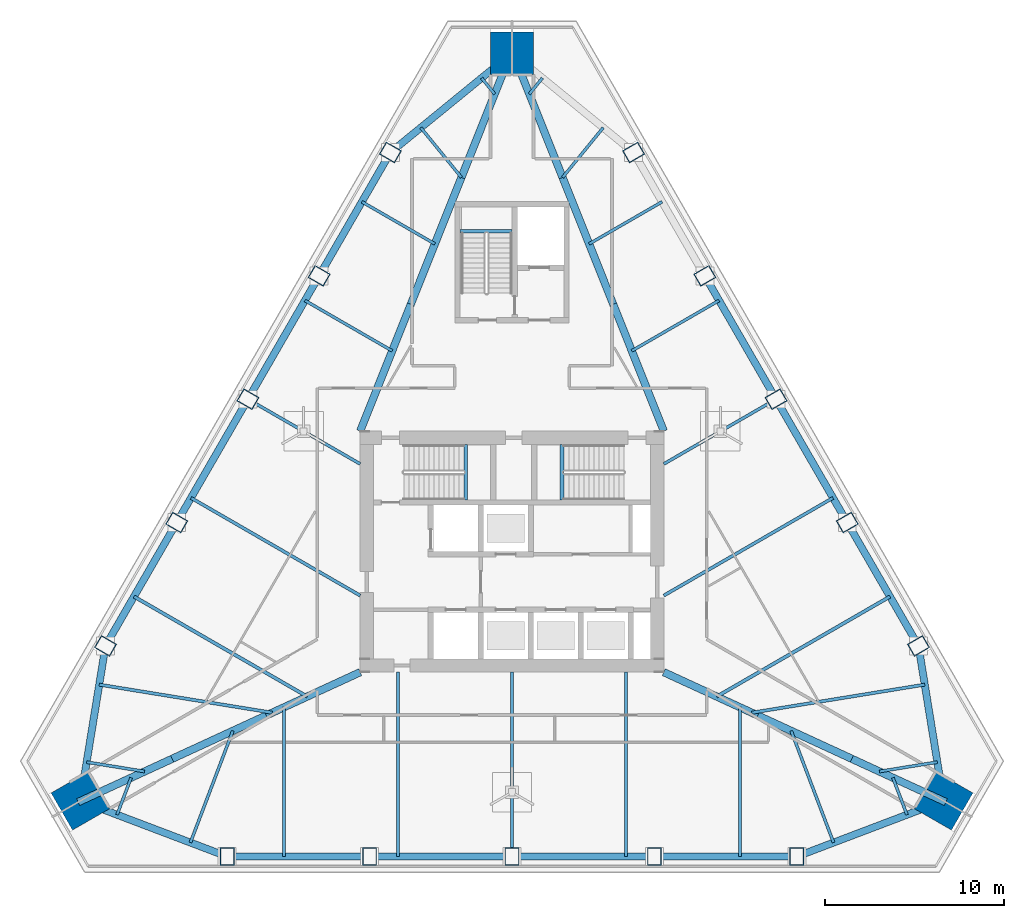
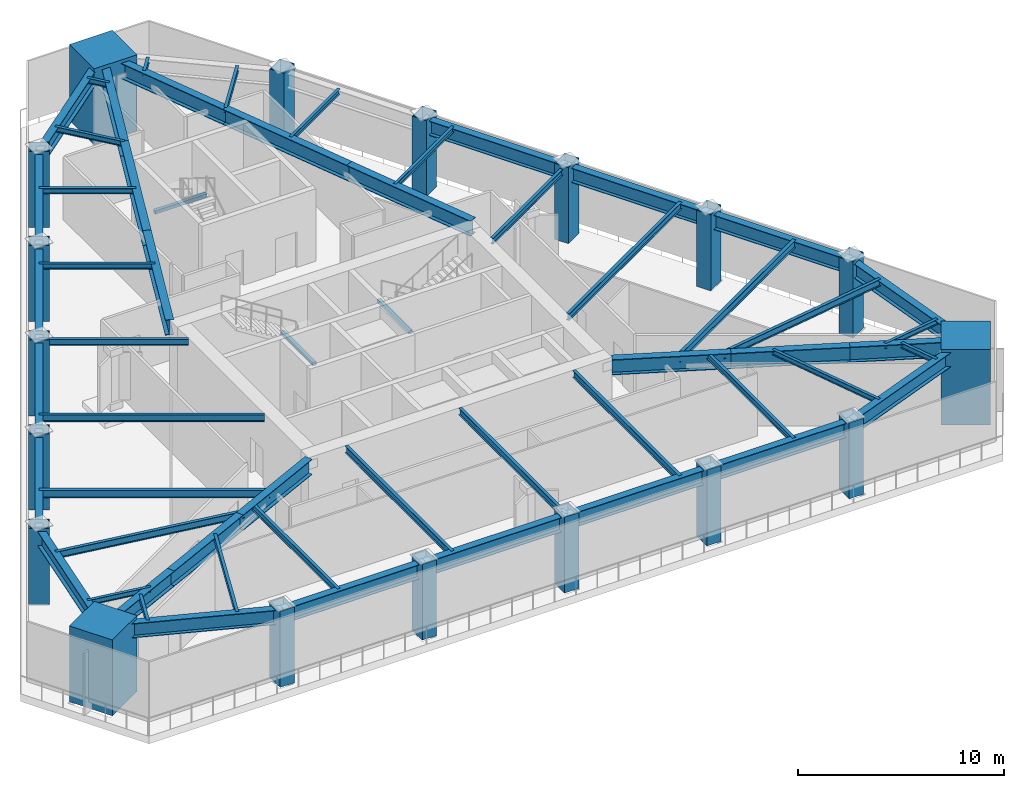
# One storey, part 1 of 9: 30 beams, 28 members, 18 columns.
"""IFC4 building model written with IfcOpenShell, lengths in metres."""

from ifc_helpers import new_model, si_unit, direction, frame, origin, origin_2d, place, context, subcontext, project, spatial, rectangle, hollow_rectangle, i_section, extrude, material, material_profile, profile_set, type_object, element, save


model = new_model("IFC4")

# Units and contexts
model_context = context("Model", 3, precision=1e-05, world=origin(), true_north=direction((0.0, 1.0)))
body_context = subcontext(model_context, "Body", "Model", "MODEL_VIEW")
ifc_project = project(units=[si_unit("LENGTHUNIT", "METRE"), si_unit("AREAUNIT", "SQUARE_METRE"), si_unit("VOLUMEUNIT", "CUBIC_METRE"), si_unit("PLANEANGLEUNIT", "RADIAN"), si_unit("MASSUNIT", "GRAM", prefix="KILO")], contexts=[model_context])

# Site, building, storey
site_placement = place(None, origin())
site = spatial("IfcSite", under=ifc_project, at=site_placement, CompositionType="ELEMENT")
building_placement = place(site_placement, origin())
building = spatial("IfcBuilding", under=site, at=building_placement, Name="Firuza Gate Tower and Library", CompositionType="ELEMENT")
storey_placement = place(building_placement, frame((0.0, 0.0, 252.10009765625)))
storey = spatial("IfcBuildingStorey", under=building, at=storey_placement, Name="L59", CompositionType="ELEMENT", Elevation=252.10009765625)

# Columns
ifc_material_1 = material(Name="Steel S355", Category="steel")
ifc_material_profile_1 = material_profile(ifc_material_1, hollow_rectangle(XDim=0.800048828125, YDim=1.0, WallThickness=0.050048828125, at=origin_2d()))
ifc_profile_set_1 = profile_set([ifc_material_profile_1], Name="Steel S355")
column_type_1 = type_object("IfcColumnType", Name="BU1000x800x50 Composite box column", PredefinedType="COLUMN", material=ifc_profile_set_1)
for number, where, z_axis, x_axis, name in (
    (1, (59.050048828125, 57.929931640625, -0.00048828125), (0.0, 0.0, 1.0), (1.0, 0.0, 0.0), "Column S1 L59"),
    (2, (67.02490234375, 57.929931640625, -0.00048828125), (0.0, 0.0, 1.0), (1.0, 0.0, 0.0), "Column S2 L59"),
    (3, (75.0, 57.929931640625, -0.00048828125), (0.0, 0.0, 1.0), (1.0, 0.0, 0.0), "Column S3 L59"),
    (4, (82.97509765625, 57.929931640625, -0.00048828125), (0.0, 0.0, 1.0), (1.0, 0.0, 0.0), "Column S4 L59"),
    (5, (90.949951171875, 57.929931640625, -0.00048828125), (0.0, 0.0, 1.0), (1.0, 0.0, 0.0), "Column S5 L59"),
    (6, (97.758056640625, 69.721923828125, -0.00048828125), (0.0, 0.0, 1.0), (-0.5, 0.866025403784, 0.0), "Column E1 L59"),
    (7, (93.7705078125, 76.62841796875, -0.00048828125), (0.0, 0.0, 1.0), (-0.5, 0.866025403784, 0.0), "Column E2 L59"),
    (8, (89.782958984375, 83.534912109375, -0.00048828125), (0.0, 0.0, 1.0), (-0.5, 0.866025403784, 0.0), "Column E3 L59"),
    (9, (85.795654296875, 90.441650390625, -0.00048828125), (0.0, 0.0, 1.0), (-0.5, 0.866025403784, 0.0), "Column E4 L59"),
    (10, (81.80810546875, 97.34814453125, -0.00048828125), (0.0, 0.0, 1.0), (-0.5, 0.866025403784, 0.0), "Column E5 L59"),
    (11, (68.19189453125, 97.34814453125, -0.00048828125), (0.0, 0.0, 1.0), (-0.5, -0.866025403784, 0.0), "Column W1 L59"),
    (12, (64.204345703125, 90.441650390625, -0.00048828125), (0.0, 0.0, 1.0), (-0.5, -0.866025403784, 0.0), "Column W2 L59"),
    (13, (60.217041015625, 83.534912109375, -0.00048828125), (0.0, 0.0, 1.0), (-0.5, -0.866025403784, 0.0), "Column W3 L59"),
    (14, (56.2294921875, 76.62841796875, -0.00048828125), (0.0, 0.0, 1.0), (-0.5, -0.866025403784, 0.0), "Column W4 L59"),
    (15, (52.241943359375, 69.721923828125, -0.00048828125), (0.0, 0.0, 1.0), (-0.5, -0.866025403784, 0.0), "Column W5 L59"),
):
    element("IfcColumn", number, at=place(storey_placement, frame(where, z_axis=z_axis, x_axis=x_axis)), inside=storey, type_object=column_type_1, Name=name, PredefinedType="COLUMN", context=body_context, shape_type="SweptSolid", body=[
        extrude(hollow_rectangle(XDim=0.800048828125, YDim=1.0, WallThickness=0.050048828125, at=origin_2d()), origin(), (0.0, 0.0, 1.0), 4.50048828125),
    ])
ifc_material_2 = material(Name="Concrete C80/95", Category="concrete")
ifc_material_profile_2 = material_profile(ifc_material_2, rectangle(XDim=2.39990234375, YDim=2.39990234375, at=origin_2d()))
ifc_profile_set_2 = profile_set([ifc_material_profile_2], Name="Concrete C80/95")
column_type_2 = type_object("IfcColumnType", Name="Mega column 2400x2400 C80/95", PredefinedType="COLUMN", material=ifc_profile_set_2)
for number, where, z_axis, x_axis, name in (
    (16, (99.166259765625, 61.047607421875, 0.0), (0.0, 0.0, 1.0), (0.5, 0.866025403784, 0.0), "Mega column SE L59"),
    (17, (75.0, 102.90478515625, 0.0), (0.0, 0.0, 1.0), (-1.0, 0.0, 0.0), "Mega column N L59"),
    (18, (50.833740234375, 61.047607421875, 0.0), (0.0, 0.0, 1.0), (0.5, -0.866025403784, 0.0), "Mega column SW L59"),
):
    element("IfcColumn", number, at=place(storey_placement, frame(where, z_axis=z_axis, x_axis=x_axis)), inside=storey, type_object=column_type_2, Name=name, PredefinedType="COLUMN", context=body_context, shape_type="SweptSolid", body=[
        extrude(rectangle(XDim=2.39990234375, YDim=2.39990234375, at=origin_2d()), origin(), (0.0, 0.0, 1.0), 4.5),
    ])

# Beams
ifc_material_3 = material(Name="Concrete C35/45", Category="concrete")
ifc_material_profile_3 = material_profile(ifc_material_3, rectangle(XDim=0.199951171875, YDim=0.199951171875, at=origin_2d()))
ifc_profile_set_3 = profile_set([ifc_material_profile_3], Name="Concrete C35/45")
beam_type_1 = type_object("IfcBeamType", Name="Stair landing bearer 200x200", PredefinedType="BEAM", material=ifc_profile_set_3)
for number, where, z_axis, x_axis, name in (
    (19, (72.39990234375, 77.89990234375, 1.949951171875), (0.0, 1.0, 0.0), (-1.0, 0.0, 0.0), "Landing bearer L59 stair 1"),
    (20, (77.800048828125, 81.0, 1.949951171875), (0.0, -1.0, 0.0), (1.0, 0.0, 0.0), "Landing bearer L59 stair 2"),
):
    element("IfcBeam", number, at=place(storey_placement, frame(where, z_axis=z_axis, x_axis=x_axis)), inside=storey, type_object=beam_type_1, Name=name, PredefinedType="BEAM", context=body_context, shape_type="SweptSolid", body=[
        extrude(rectangle(XDim=0.199951171875, YDim=0.199951171875, at=origin_2d()), origin(), (0.0, 0.0, 1.0), 3.10009765625),
    ])
beam_1_placement = place(storey_placement, frame((75.0, 92.929931640625, 1.949951171875), z_axis=(-1.0, 0.0, 0.0), x_axis=(0.0, -1.0, 0.0)))
element("IfcBeam", 21, at=beam_1_placement, inside=storey, type_object=beam_type_1, Name="Landing bearer L59 stair 3", PredefinedType="BEAM", context=body_context, shape_type="SweptSolid", body=[
    extrude(rectangle(XDim=0.199951171875, YDim=0.199951171875, at=origin_2d()), origin(), (0.0, 0.0, 1.0), 2.89990234375),
])
ifc_material_4 = material(Name="Steel S355", Category="steel")
ifc_material_profile_4 = material_profile(ifc_material_4, i_section(OverallWidth=0.1650390625, OverallDepth=0.31005859375, WebThickness=0.005859375, FlangeThickness=0.009765625, at=origin_2d()))
ifc_profile_set_4 = profile_set([ifc_material_profile_4], Name="Steel S355")
beam_type_2 = type_object("IfcBeamType", Name="W310x39 Floor beam", PredefinedType="JOIST", material=ifc_profile_set_4)
beam_2_placement = place(storey_placement, frame((51.185791015625, 63.21630859375, 4.14501953125), z_axis=(0.987079769796, -0.160229610434, 0.0), x_axis=(0.160229610434, 0.987079769796, 0.0)))
element("IfcBeam", 22, at=beam_2_placement, inside=storey, type_object=beam_type_2, Name="Floor beam L59 s01", PredefinedType="JOIST", context=body_context, shape_type="SweptSolid", body=[
    extrude(i_section(OverallWidth=0.1650390625, OverallDepth=0.31005859375, WebThickness=0.005859375, FlangeThickness=0.009765625, at=origin_2d()), origin(), (0.0, 0.0, 1.0), 3.28662109375),
])
beam_3_placement = place(storey_placement, frame((52.887939453125, 60.268310546875, 4.14501953125), z_axis=(0.354800245379, 0.934942129695, 0.0), x_axis=(-0.934942129695, 0.354800245379, 0.0)))
element("IfcBeam", 23, at=beam_3_placement, inside=storey, type_object=beam_type_2, Name="Floor beam L59 s10", PredefinedType="JOIST", context=body_context, shape_type="SweptSolid", body=[
    extrude(i_section(OverallWidth=0.1650390625, OverallDepth=0.31005859375, WebThickness=0.005859375, FlangeThickness=0.009765625, at=origin_2d()), origin(), (0.0, 0.0, 1.0), 2.2177734375),
])
for number, where, z_axis, x_axis, name in (
    (24, (56.995849609375, 58.70947265625, 4.14501953125), (0.35479941921, 0.934942443217, 0.0), (-0.934942443217, 0.35479941921, 0.0), "Floor beam L59 s11"),
    (25, (93.004150390625, 58.70947265625, 4.14501953125), (-0.35479941921, 0.934942443217, 0.0), (-0.934942443217, -0.35479941921, 0.0), "Floor beam L59 s30"),
):
    element("IfcBeam", number, at=place(storey_placement, frame(where, z_axis=z_axis, x_axis=x_axis)), inside=storey, type_object=beam_type_2, Name=name, PredefinedType="JOIST", context=body_context, shape_type="SweptSolid", body=[
        extrude(i_section(OverallWidth=0.1650390625, OverallDepth=0.31005859375, WebThickness=0.005859375, FlangeThickness=0.009765625, at=origin_2d()), origin(), (0.0, 0.0, 1.0), 6.691162109375),
    ])
beam_4_placement = place(storey_placement, frame((97.112060546875, 60.268310546875, 4.14501953125), z_axis=(-0.354800245379, 0.934942129695, 0.0), x_axis=(-0.934942129695, -0.354800245379, 0.0)))
element("IfcBeam", 26, at=beam_4_placement, inside=storey, type_object=beam_type_2, Name="Floor beam L59 s31", PredefinedType="JOIST", context=body_context, shape_type="SweptSolid", body=[
    extrude(i_section(OverallWidth=0.1650390625, OverallDepth=0.31005859375, WebThickness=0.005859375, FlangeThickness=0.009765625, at=origin_2d()), origin(), (0.0, 0.0, 1.0), 2.2177734375),
])
beam_5_placement = place(storey_placement, frame((98.814208984375, 63.21630859375, 4.14501953125), z_axis=(-0.987079769796, -0.160229610434, 0.0), x_axis=(0.160229610434, -0.987079769796, 0.0)))
element("IfcBeam", 27, at=beam_5_placement, inside=storey, type_object=beam_type_2, Name="Floor beam L59 s40", PredefinedType="JOIST", context=body_context, shape_type="SweptSolid", body=[
    extrude(i_section(OverallWidth=0.1650390625, OverallDepth=0.31005859375, WebThickness=0.005859375, FlangeThickness=0.009765625, at=origin_2d()), origin(), (0.0, 0.0, 1.0), 3.28662109375),
])
beam_6_placement = place(storey_placement, frame((86.593017578125, 89.060302734375, 4.14501953125), z_axis=(-0.86601836006, -0.500012199891, 0.0), x_axis=(0.500012199891, -0.86601836006, 0.0)))
element("IfcBeam", 28, at=beam_6_placement, inside=storey, type_object=beam_type_2, Name="Floor beam L59 s53", PredefinedType="JOIST", context=body_context, shape_type="SweptSolid", body=[
    extrude(i_section(OverallWidth=0.1650390625, OverallDepth=0.31005859375, WebThickness=0.005859375, FlangeThickness=0.009765625, at=origin_2d()), origin(), (0.0, 0.0, 1.0), 5.640380859375),
])
beam_7_placement = place(storey_placement, frame((83.403076171875, 94.58544921875, 4.14501953125), z_axis=(-0.8660269729, -0.499997282202, 0.0), x_axis=(0.499997282202, -0.8660269729, 0.0)))
element("IfcBeam", 29, at=beam_7_placement, inside=storey, type_object=beam_type_2, Name="Floor beam L59 s54", PredefinedType="JOIST", context=body_context, shape_type="SweptSolid", body=[
    extrude(i_section(OverallWidth=0.1650390625, OverallDepth=0.31005859375, WebThickness=0.005859375, FlangeThickness=0.009765625, at=origin_2d()), origin(), (0.0, 0.0, 1.0), 4.71630859375),
])
beam_8_placement = place(storey_placement, frame((80.10595703125, 98.7373046875, 4.14501953125), z_axis=(-0.632283350039, -0.774737223362, 0.0), x_axis=(0.774737223362, -0.632283350039, 0.0)))
element("IfcBeam", 30, at=beam_8_placement, inside=storey, type_object=beam_type_2, Name="Floor beam L59 s60", PredefinedType="JOIST", context=body_context, shape_type="SweptSolid", body=[
    extrude(i_section(OverallWidth=0.1650390625, OverallDepth=0.31005859375, WebThickness=0.005859375, FlangeThickness=0.009765625, at=origin_2d()), origin(), (0.0, 0.0, 1.0), 3.595703125),
])
for number, where, z_axis, x_axis, name in (
    (31, (76.701904296875, 101.515625, 4.14501953125), (-0.632226683297, -0.774783467123, 0.0), (0.774783467123, -0.632226683297, 0.0), "Floor beam L59 s61"),
    (32, (73.298095703125, 101.515625, 4.14501953125), (0.632226683297, -0.774783467123, 0.0), (0.774783467123, 0.632226683297, 0.0), "Floor beam L59 s70"),
):
    element("IfcBeam", number, at=place(storey_placement, frame(where, z_axis=z_axis, x_axis=x_axis)), inside=storey, type_object=beam_type_2, Name=name, PredefinedType="JOIST", context=body_context, shape_type="SweptSolid", body=[
        extrude(i_section(OverallWidth=0.1650390625, OverallDepth=0.31005859375, WebThickness=0.005859375, FlangeThickness=0.009765625, at=origin_2d()), origin(), (0.0, 0.0, 1.0), 1.15771484375),
    ])
beam_9_placement = place(storey_placement, frame((69.89404296875, 98.7373046875, 4.14501953125), z_axis=(0.632283350039, -0.774737223362, 0.0), x_axis=(0.774737223362, 0.632283350039, 0.0)))
element("IfcBeam", 33, at=beam_9_placement, inside=storey, type_object=beam_type_2, Name="Floor beam L59 s71", PredefinedType="JOIST", context=body_context, shape_type="SweptSolid", body=[
    extrude(i_section(OverallWidth=0.1650390625, OverallDepth=0.31005859375, WebThickness=0.005859375, FlangeThickness=0.009765625, at=origin_2d()), origin(), (0.0, 0.0, 1.0), 3.595703125),
])
beam_10_placement = place(storey_placement, frame((66.596923828125, 94.58544921875, 4.14501953125), z_axis=(0.8660269729, -0.499997282202, 0.0), x_axis=(0.499997282202, 0.8660269729, 0.0)))
element("IfcBeam", 34, at=beam_10_placement, inside=storey, type_object=beam_type_2, Name="Floor beam L59 s80", PredefinedType="JOIST", context=body_context, shape_type="SweptSolid", body=[
    extrude(i_section(OverallWidth=0.1650390625, OverallDepth=0.31005859375, WebThickness=0.005859375, FlangeThickness=0.009765625, at=origin_2d()), origin(), (0.0, 0.0, 1.0), 4.71630859375),
])
beam_11_placement = place(storey_placement, frame((63.406982421875, 89.060302734375, 4.14501953125), z_axis=(0.86601836006, -0.500012199891, 0.0), x_axis=(0.500012199891, 0.86601836006, 0.0)))
element("IfcBeam", 35, at=beam_11_placement, inside=storey, type_object=beam_type_2, Name="Floor beam L59 s81", PredefinedType="JOIST", context=body_context, shape_type="SweptSolid", body=[
    extrude(i_section(OverallWidth=0.1650390625, OverallDepth=0.31005859375, WebThickness=0.005859375, FlangeThickness=0.009765625, at=origin_2d()), origin(), (0.0, 0.0, 1.0), 5.640380859375),
])
ifc_material_5 = material(Name="Steel S355", Category="steel")
ifc_material_profile_5 = material_profile(ifc_material_5, i_section(OverallWidth=0.1708984375, OverallDepth=0.35498046875, WebThickness=0.007080078125, FlangeThickness=0.01171875, at=origin_2d()))
ifc_profile_set_5 = profile_set([ifc_material_profile_5], Name="Steel S355")
beam_type_3 = type_object("IfcBeamType", Name="W360x51 Floor beam", PredefinedType="JOIST", material=ifc_profile_set_5)
for number, where, z_axis, x_axis, name in (
    (36, (62.239990234375, 57.929931640625, 4.122314453125), (0.0, 1.0, 0.0), (-1.0, 0.0, 0.0), "Floor beam L59 s20"),
    (37, (87.760009765625, 57.929931640625, 4.122314453125), (0.0, 1.0, 0.0), (-1.0, 0.0, 0.0), "Floor beam L59 s24"),
):
    element("IfcBeam", number, at=place(storey_placement, frame(where, z_axis=z_axis, x_axis=x_axis)), inside=storey, type_object=beam_type_3, Name=name, PredefinedType="JOIST", context=body_context, shape_type="SweptSolid", body=[
        extrude(i_section(OverallWidth=0.1708984375, OverallDepth=0.35498046875, WebThickness=0.007080078125, FlangeThickness=0.01171875, at=origin_2d()), origin(), (0.0, 0.0, 1.0), 8.357666015625),
    ])
for number, where, z_axis, x_axis, name in (
    (38, (89.782958984375, 83.534912109375, 4.122314453125), (-0.866026994675, -0.499997244487, 0.0), (0.499997244487, -0.866026994675, 0.0), "Floor beam L59 s52"),
    (39, (60.217041015625, 83.534912109375, 4.122314453125), (0.866026994675, -0.499997244487, 0.0), (0.499997244487, 0.866026994675, 0.0), "Floor beam L59 s82"),
):
    element("IfcBeam", number, at=place(storey_placement, frame(where, z_axis=z_axis, x_axis=x_axis)), inside=storey, type_object=beam_type_3, Name=name, PredefinedType="JOIST", context=body_context, shape_type="SweptSolid", body=[
        extrude(i_section(OverallWidth=0.1708984375, OverallDepth=0.35498046875, WebThickness=0.007080078125, FlangeThickness=0.01171875, at=origin_2d()), origin(), (0.0, 0.0, 1.0), 7.2548828125),
    ])
ifc_material_6 = material(Name="Steel S355", Category="steel")
ifc_material_profile_6 = material_profile(ifc_material_6, i_section(OverallWidth=0.177978515625, OverallDepth=0.406982421875, WebThickness=0.0078125, FlangeThickness=0.0126953125, at=origin_2d()))
ifc_profile_set_6 = profile_set([ifc_material_profile_6], Name="Steel S355")
beam_type_4 = type_object("IfcBeamType", Name="W410x60 Floor beam", PredefinedType="JOIST", material=ifc_profile_set_6)
beam_12_placement = place(storey_placement, frame((51.889892578125, 67.553466796875, 4.096435546875), z_axis=(0.987077835807, -0.160241524139, 0.0), x_axis=(0.160241524139, 0.987077835807, 0.0)))
element("IfcBeam", 40, at=beam_12_placement, inside=storey, type_object=beam_type_4, Name="Floor beam L59 s00", PredefinedType="JOIST", context=body_context, shape_type="SweptSolid", body=[
    extrude(i_section(OverallWidth=0.177978515625, OverallDepth=0.406982421875, WebThickness=0.0078125, FlangeThickness=0.0126953125, at=origin_2d()), origin(), (0.0, 0.0, 1.0), 9.811767578125),
])
for number, where, z_axis, x_axis, name in (
    (41, (68.6201171875, 57.929931640625, 4.096435546875), (0.0, 1.0, 0.0), (-1.0, 0.0, 0.0), "Floor beam L59 s21"),
    (42, (75.0, 57.929931640625, 4.096435546875), (0.0, 1.0, 0.0), (-1.0, 0.0, 0.0), "Floor beam L59 s22"),
    (43, (81.3798828125, 57.929931640625, 4.096435546875), (0.0, 1.0, 0.0), (-1.0, 0.0, 0.0), "Floor beam L59 s23"),
):
    element("IfcBeam", number, at=place(storey_placement, frame(where, z_axis=z_axis, x_axis=x_axis)), inside=storey, type_object=beam_type_4, Name=name, PredefinedType="JOIST", context=body_context, shape_type="SweptSolid", body=[
        extrude(i_section(OverallWidth=0.177978515625, OverallDepth=0.406982421875, WebThickness=0.0078125, FlangeThickness=0.0126953125, at=origin_2d()), origin(), (0.0, 0.0, 1.0), 10.320068359375),
    ])
beam_13_placement = place(storey_placement, frame((98.110107421875, 67.553466796875, 4.096435546875), z_axis=(-0.987077835807, -0.160241524139, 0.0), x_axis=(0.160241524139, -0.987077835807, 0.0)))
element("IfcBeam", 44, at=beam_13_placement, inside=storey, type_object=beam_type_4, Name="Floor beam L59 s41", PredefinedType="JOIST", context=body_context, shape_type="SweptSolid", body=[
    extrude(i_section(OverallWidth=0.177978515625, OverallDepth=0.406982421875, WebThickness=0.0078125, FlangeThickness=0.0126953125, at=origin_2d()), origin(), (0.0, 0.0, 1.0), 9.811767578125),
])
for number, where, z_axis, x_axis, name in (
    (45, (92.97314453125, 78.009765625, 4.096435546875), (-0.866028739416, -0.499994222473, 0.0), (0.499994222473, -0.866028739416, 0.0), "Floor beam L59 s51"),
    (46, (57.02685546875, 78.009765625, 4.096435546875), (0.866028739416, -0.499994222473, 0.0), (0.499994222473, 0.866028739416, 0.0), "Floor beam L59 s83"),
):
    element("IfcBeam", number, at=place(storey_placement, frame(where, z_axis=z_axis, x_axis=x_axis)), inside=storey, type_object=beam_type_4, Name=name, PredefinedType="JOIST", context=body_context, shape_type="SweptSolid", body=[
        extrude(i_section(OverallWidth=0.177978515625, OverallDepth=0.406982421875, WebThickness=0.0078125, FlangeThickness=0.0126953125, at=origin_2d()), origin(), (0.0, 0.0, 1.0), 10.938720703125),
    ])
ifc_material_7 = material(Name="Steel S355", Category="steel")
ifc_material_profile_7 = material_profile(ifc_material_7, i_section(OverallWidth=0.18994140625, OverallDepth=0.45703125, WebThickness=0.009033203125, FlangeThickness=0.014404296875, at=origin_2d()))
ifc_profile_set_7 = profile_set([ifc_material_profile_7], Name="Steel S355")
beam_type_5 = type_object("IfcBeamType", Name="W460x74 Floor beam", PredefinedType="JOIST", material=ifc_profile_set_7)
for number, where, z_axis, x_axis, name in (
    (47, (96.1630859375, 72.484619140625, 4.0712890625), (-0.866025134714, -0.500000466043, 0.0), (0.500000466043, -0.866025134714, 0.0), "Floor beam L59 s50"),
    (48, (53.8369140625, 72.484619140625, 4.0712890625), (0.866025134714, -0.500000466043, 0.0), (0.500000466043, 0.866025134714, 0.0), "Floor beam L59 s84"),
):
    element("IfcBeam", number, at=place(storey_placement, frame(where, z_axis=z_axis, x_axis=x_axis)), inside=storey, type_object=beam_type_5, Name=name, PredefinedType="JOIST", context=body_context, shape_type="SweptSolid", body=[
        extrude(i_section(OverallWidth=0.18994140625, OverallDepth=0.45703125, WebThickness=0.009033203125, FlangeThickness=0.014404296875, at=origin_2d()), origin(), (0.0, 0.0, 1.0), 11.19970703125),
    ])

# Members
ifc_material_8 = material(Name="Steel S355", Category="steel")
ifc_material_profile_8 = material_profile(ifc_material_8, i_section(OverallWidth=0.39990234375, OverallDepth=0.85498046875, WebThickness=0.018310546875, FlangeThickness=0.029296875, at=origin_2d()))
ifc_profile_set_8 = profile_set([ifc_material_profile_8], Name="Steel S355")
member_type_1 = type_object("IfcMemberType", Name="W840x299 Belt truss chord", PredefinedType="CHORD", material=ifc_profile_set_8)
for number, where, z_axis, x_axis, name in (
    (49, (52.241943359375, 69.721923828125, 3.872314453125), (-0.160243816779, -0.987077463619, 0.0), (0.987077463619, -0.160243816779, 0.0), "Belt truss top chord L58 1"),
    (50, (50.833740234375, 61.047607421875, 3.872314453125), (0.934954316747, -0.354768129341, 0.0), (0.354768129341, 0.934954316747, 0.0), "Belt truss top chord L58 2"),
):
    element("IfcMember", number, at=place(storey_placement, frame(where, z_axis=z_axis, x_axis=x_axis)), inside=storey, type_object=member_type_1, Name=name, PredefinedType="CHORD", context=body_context, shape_type="SweptSolid", body=[
        extrude(i_section(OverallWidth=0.39990234375, OverallDepth=0.85498046875, WebThickness=0.018310546875, FlangeThickness=0.029296875, at=origin_2d()), origin(), (0.0, 0.0, 1.0), 8.787841796875),
    ])
member_1_placement = place(storey_placement, frame((59.050048828125, 57.929931640625, 3.872314453125), z_axis=(1.0, 0.0, 0.0), x_axis=(0.0, 1.0, 0.0)))
element("IfcMember", 51, at=member_1_placement, inside=storey, type_object=member_type_1, Name="Belt truss top chord L58 3", PredefinedType="CHORD", context=body_context, shape_type="SweptSolid", body=[
    extrude(i_section(OverallWidth=0.39990234375, OverallDepth=0.85498046875, WebThickness=0.018310546875, FlangeThickness=0.029296875, at=origin_2d()), origin(), (0.0, 0.0, 1.0), 7.974853515625),
])
for number, where, z_axis, x_axis, name in (
    (52, (67.02490234375, 57.929931640625, 3.872314453125), (1.0, 0.0, 0.0), (0.0, 1.0, 0.0), "Belt truss top chord L58 4"),
    (53, (75.0, 57.929931640625, 3.872314453125), (1.0, 0.0, 0.0), (0.0, 1.0, 0.0), "Belt truss top chord L58 5"),
):
    element("IfcMember", number, at=place(storey_placement, frame(where, z_axis=z_axis, x_axis=x_axis)), inside=storey, type_object=member_type_1, Name=name, PredefinedType="CHORD", context=body_context, shape_type="SweptSolid", body=[
        extrude(i_section(OverallWidth=0.39990234375, OverallDepth=0.85498046875, WebThickness=0.018310546875, FlangeThickness=0.029296875, at=origin_2d()), origin(), (0.0, 0.0, 1.0), 7.97509765625),
    ])
member_2_placement = place(storey_placement, frame((82.97509765625, 57.929931640625, 3.872314453125), z_axis=(1.0, 0.0, 0.0), x_axis=(0.0, 1.0, 0.0)))
element("IfcMember", 54, at=member_2_placement, inside=storey, type_object=member_type_1, Name="Belt truss top chord L58 6", PredefinedType="CHORD", context=body_context, shape_type="SweptSolid", body=[
    extrude(i_section(OverallWidth=0.39990234375, OverallDepth=0.85498046875, WebThickness=0.018310546875, FlangeThickness=0.029296875, at=origin_2d()), origin(), (0.0, 0.0, 1.0), 7.974853515625),
])
for number, where, z_axis, x_axis, name in (
    (55, (90.949951171875, 57.929931640625, 3.872314453125), (0.934954316747, 0.354768129341, 0.0), (-0.354768129341, 0.934954316747, 0.0), "Belt truss top chord L58 7"),
    (56, (99.166259765625, 61.047607421875, 3.872314453125), (-0.160243816779, 0.987077463619, 0.0), (-0.987077463619, -0.160243816779, 0.0), "Belt truss top chord L58 8"),
):
    element("IfcMember", number, at=place(storey_placement, frame(where, z_axis=z_axis, x_axis=x_axis)), inside=storey, type_object=member_type_1, Name=name, PredefinedType="CHORD", context=body_context, shape_type="SweptSolid", body=[
        extrude(i_section(OverallWidth=0.39990234375, OverallDepth=0.85498046875, WebThickness=0.018310546875, FlangeThickness=0.029296875, at=origin_2d()), origin(), (0.0, 0.0, 1.0), 8.787841796875),
    ])
for number, where, z_axis, x_axis, name in (
    (57, (97.758056640625, 69.721923828125, 3.872314453125), (-0.500007765856, 0.866020920119, 0.0), (-0.866020920119, -0.500007765856, 0.0), "Belt truss top chord L58 9"),
    (58, (93.7705078125, 76.62841796875, 3.872314453125), (-0.500007765856, 0.866020920119, 0.0), (-0.866020920119, -0.500007765856, 0.0), "Belt truss top chord L58 10"),
):
    element("IfcMember", number, at=place(storey_placement, frame(where, z_axis=z_axis, x_axis=x_axis)), inside=storey, type_object=member_type_1, Name=name, PredefinedType="CHORD", context=body_context, shape_type="SweptSolid", body=[
        extrude(i_section(OverallWidth=0.39990234375, OverallDepth=0.85498046875, WebThickness=0.018310546875, FlangeThickness=0.029296875, at=origin_2d()), origin(), (0.0, 0.0, 1.0), 7.974853515625),
    ])
member_3_placement = place(storey_placement, frame((89.782958984375, 83.534912109375, 3.872314453125), z_axis=(-0.499971549949, 0.866041828806, 0.0), x_axis=(-0.866041828806, -0.499971549949, 0.0)))
element("IfcMember", 59, at=member_3_placement, inside=storey, type_object=member_type_1, Name="Belt truss top chord L58 11", PredefinedType="CHORD", context=body_context, shape_type="SweptSolid", body=[
    extrude(i_section(OverallWidth=0.39990234375, OverallDepth=0.85498046875, WebThickness=0.018310546875, FlangeThickness=0.029296875, at=origin_2d()), origin(), (0.0, 0.0, 1.0), 7.97509765625),
])
member_4_placement = place(storey_placement, frame((75.0, 102.90478515625, 3.872314453125), z_axis=(-0.774716746398, -0.632308439648, 0.0), x_axis=(0.632308439648, -0.774716746398, 0.0)))
element("IfcMember", 60, at=member_4_placement, inside=storey, type_object=member_type_1, Name="Belt truss top chord L58 14", PredefinedType="CHORD", context=body_context, shape_type="SweptSolid", body=[
    extrude(i_section(OverallWidth=0.39990234375, OverallDepth=0.85498046875, WebThickness=0.018310546875, FlangeThickness=0.029296875, at=origin_2d()), origin(), (0.0, 0.0, 1.0), 8.787841796875),
])
member_5_placement = place(storey_placement, frame((68.19189453125, 97.34814453125, 3.872314453125), z_axis=(-0.500007765856, -0.866020920119, 0.0), x_axis=(0.866020920119, -0.500007765856, 0.0)))
element("IfcMember", 61, at=member_5_placement, inside=storey, type_object=member_type_1, Name="Belt truss top chord L58 15", PredefinedType="CHORD", context=body_context, shape_type="SweptSolid", body=[
    extrude(i_section(OverallWidth=0.39990234375, OverallDepth=0.85498046875, WebThickness=0.018310546875, FlangeThickness=0.029296875, at=origin_2d()), origin(), (0.0, 0.0, 1.0), 7.974853515625),
])
member_6_placement = place(storey_placement, frame((64.204345703125, 90.441650390625, 3.872314453125), z_axis=(-0.499971549949, -0.866041828806, 0.0), x_axis=(0.866041828806, -0.499971549949, 0.0)))
element("IfcMember", 62, at=member_6_placement, inside=storey, type_object=member_type_1, Name="Belt truss top chord L58 16", PredefinedType="CHORD", context=body_context, shape_type="SweptSolid", body=[
    extrude(i_section(OverallWidth=0.39990234375, OverallDepth=0.85498046875, WebThickness=0.018310546875, FlangeThickness=0.029296875, at=origin_2d()), origin(), (0.0, 0.0, 1.0), 7.97509765625),
])
for number, where, z_axis, x_axis, name in (
    (63, (60.217041015625, 83.534912109375, 3.872314453125), (-0.500007765856, -0.866020920119, 0.0), (0.866020920119, -0.500007765856, 0.0), "Belt truss top chord L58 17"),
    (64, (56.2294921875, 76.62841796875, 3.872314453125), (-0.500007765856, -0.866020920119, 0.0), (0.866020920119, -0.500007765856, 0.0), "Belt truss top chord L58 18"),
):
    element("IfcMember", number, at=place(storey_placement, frame(where, z_axis=z_axis, x_axis=x_axis)), inside=storey, type_object=member_type_1, Name=name, PredefinedType="CHORD", context=body_context, shape_type="SweptSolid", body=[
        extrude(i_section(OverallWidth=0.39990234375, OverallDepth=0.85498046875, WebThickness=0.018310546875, FlangeThickness=0.029296875, at=origin_2d()), origin(), (0.0, 0.0, 1.0), 7.974853515625),
    ])
ifc_material_9 = material(Name="Steel S355", Category="steel")
ifc_material_profile_9 = material_profile(ifc_material_9, i_section(OverallWidth=0.41796875, OverallDepth=0.912109375, WebThickness=0.019287109375, FlangeThickness=0.031982421875, at=origin_2d()))
ifc_profile_set_9 = profile_set([ifc_material_profile_9], Name="Steel S355")
member_type_2 = type_object("IfcMemberType", Name="W920x342 Outrigger chord", PredefinedType="CHORD", material=ifc_profile_set_9)
for number, where, z_axis, x_axis, name in (
    (65, (66.5, 81.75, 3.843994140625), (0.370647159452, 0.928773752423, 0.0), (-0.928773752423, 0.370647159452, 0.0), "Outrigger NW L58 top chord 1"),
    (66, (69.333251953125, 88.849609375, 3.843994140625), (0.370674709838, 0.928762757375, 0.0), (-0.928762757375, 0.370674709838, 0.0), "Outrigger NW L58 top chord 2"),
):
    element("IfcMember", number, at=place(storey_placement, frame(where, z_axis=z_axis, x_axis=x_axis)), inside=storey, type_object=member_type_2, Name=name, PredefinedType="CHORD", context=body_context, shape_type="SweptSolid", body=[
        extrude(i_section(OverallWidth=0.41796875, OverallDepth=0.912109375, WebThickness=0.019287109375, FlangeThickness=0.031982421875, at=origin_2d()), origin(), (0.0, 0.0, 1.0), 7.64404296875),
    ])
member_7_placement = place(storey_placement, frame((72.166748046875, 95.94921875, 3.843994140625), z_axis=(0.370636164983, 0.928778139927, 0.0), x_axis=(-0.928778139927, 0.370636164983, 0.0)))
element("IfcMember", 67, at=member_7_placement, inside=storey, type_object=member_type_2, Name="Outrigger NW L58 top chord 3", PredefinedType="CHORD", context=body_context, shape_type="SweptSolid", body=[
    extrude(i_section(OverallWidth=0.41796875, OverallDepth=0.912109375, WebThickness=0.019287109375, FlangeThickness=0.031982421875, at=origin_2d()), origin(), (0.0, 0.0, 1.0), 7.644287109375),
])
for number, where, z_axis, x_axis, name in (
    (68, (83.5, 81.75, 3.843994140625), (-0.370647159452, 0.928773752423, 0.0), (-0.928773752423, -0.370647159452, 0.0), "Outrigger NE L58 top chord 1"),
    (69, (80.666748046875, 88.849609375, 3.843994140625), (-0.370674709838, 0.928762757375, 0.0), (-0.928762757375, -0.370674709838, 0.0), "Outrigger NE L58 top chord 2"),
):
    element("IfcMember", number, at=place(storey_placement, frame(where, z_axis=z_axis, x_axis=x_axis)), inside=storey, type_object=member_type_2, Name=name, PredefinedType="CHORD", context=body_context, shape_type="SweptSolid", body=[
        extrude(i_section(OverallWidth=0.41796875, OverallDepth=0.912109375, WebThickness=0.019287109375, FlangeThickness=0.031982421875, at=origin_2d()), origin(), (0.0, 0.0, 1.0), 7.64404296875),
    ])
member_8_placement = place(storey_placement, frame((77.833251953125, 95.94921875, 3.843994140625), z_axis=(-0.370636164983, 0.928778139927, 0.0), x_axis=(-0.928778139927, -0.370636164983, 0.0)))
element("IfcMember", 70, at=member_8_placement, inside=storey, type_object=member_type_2, Name="Outrigger NE L58 top chord 3", PredefinedType="CHORD", context=body_context, shape_type="SweptSolid", body=[
    extrude(i_section(OverallWidth=0.41796875, OverallDepth=0.912109375, WebThickness=0.019287109375, FlangeThickness=0.031982421875, at=origin_2d()), origin(), (0.0, 0.0, 1.0), 7.644287109375),
])
for number, where, z_axis, x_axis, name in (
    (71, (83.5, 68.25, 3.843994140625), (0.908259999569, -0.418406229857, 0.0), (0.418406229857, 0.908259999569, 0.0), "Outrigger SE L58 top chord 1"),
    (72, (88.763671875, 65.8251953125, 3.843994140625), (0.908259999569, -0.418406229857, 0.0), (0.418406229857, 0.908259999569, 0.0), "Outrigger SE L58 top chord 2"),
):
    element("IfcMember", number, at=place(storey_placement, frame(where, z_axis=z_axis, x_axis=x_axis)), inside=storey, type_object=member_type_2, Name=name, PredefinedType="CHORD", context=body_context, shape_type="SweptSolid", body=[
        extrude(i_section(OverallWidth=0.41796875, OverallDepth=0.912109375, WebThickness=0.019287109375, FlangeThickness=0.031982421875, at=origin_2d()), origin(), (0.0, 0.0, 1.0), 5.79541015625),
    ])
member_9_placement = place(storey_placement, frame((94.02734375, 63.400390625, 3.843994140625), z_axis=(0.908267374072, -0.4183902212, 0.0), x_axis=(0.4183902212, 0.908267374072, 0.0)))
element("IfcMember", 73, at=member_9_placement, inside=storey, type_object=member_type_2, Name="Outrigger SE L58 top chord 3", PredefinedType="CHORD", context=body_context, shape_type="SweptSolid", body=[
    extrude(i_section(OverallWidth=0.41796875, OverallDepth=0.912109375, WebThickness=0.019287109375, FlangeThickness=0.031982421875, at=origin_2d()), origin(), (0.0, 0.0, 1.0), 5.795654296875),
])
for number, where, z_axis, x_axis, name in (
    (74, (66.5, 68.25, 3.843994140625), (-0.908259999569, -0.418406229857, 0.0), (0.418406229857, -0.908259999569, 0.0), "Outrigger SW L58 top chord 1"),
    (75, (61.236328125, 65.8251953125, 3.843994140625), (-0.908259999569, -0.418406229857, 0.0), (0.418406229857, -0.908259999569, 0.0), "Outrigger SW L58 top chord 2"),
):
    element("IfcMember", number, at=place(storey_placement, frame(where, z_axis=z_axis, x_axis=x_axis)), inside=storey, type_object=member_type_2, Name=name, PredefinedType="CHORD", context=body_context, shape_type="SweptSolid", body=[
        extrude(i_section(OverallWidth=0.41796875, OverallDepth=0.912109375, WebThickness=0.019287109375, FlangeThickness=0.031982421875, at=origin_2d()), origin(), (0.0, 0.0, 1.0), 5.79541015625),
    ])
member_10_placement = place(storey_placement, frame((55.97265625, 63.400390625, 3.843994140625), z_axis=(-0.908267374072, -0.4183902212, 0.0), x_axis=(0.4183902212, -0.908267374072, 0.0)))
element("IfcMember", 76, at=member_10_placement, inside=storey, type_object=member_type_2, Name="Outrigger SW L58 top chord 3", PredefinedType="CHORD", context=body_context, shape_type="SweptSolid", body=[
    extrude(i_section(OverallWidth=0.41796875, OverallDepth=0.912109375, WebThickness=0.019287109375, FlangeThickness=0.031982421875, at=origin_2d()), origin(), (0.0, 0.0, 1.0), 5.795654296875),
])

save(model, "model.ifc")
